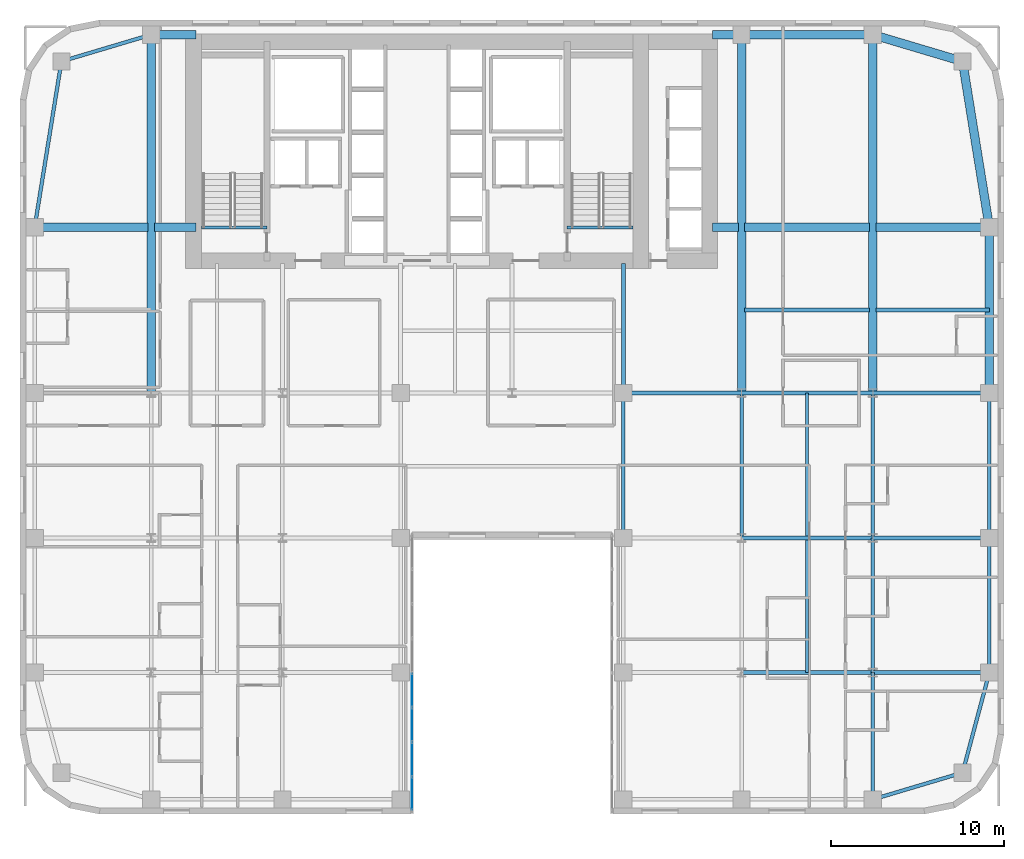
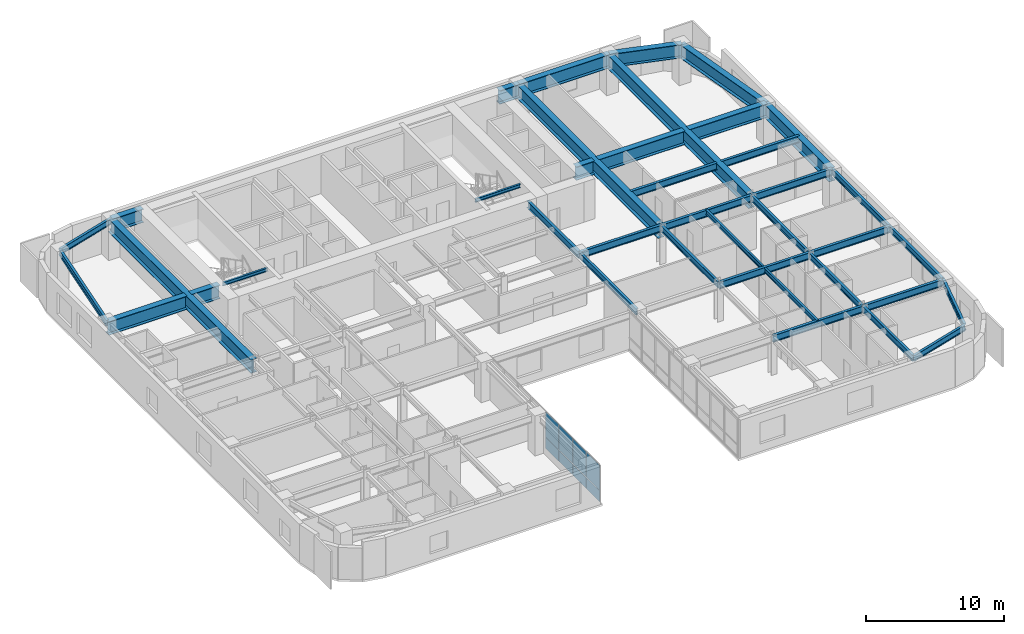
# One storey, part 8 of 16: 39 beams, 8 plates, 1 element without a shape of its own.
"""IFC4 building model written with IfcOpenShell, lengths in metres."""

from ifc_helpers import new_model, si_unit, direction, frame, origin, origin_2d, place, context, subcontext, project, spatial, rectangle, i_section, extrude, source, transform, mapped, material, layer, layer_set, material_profile, profile_set, type_object, type_shapes, element, aggregate, save


model = new_model("IFC4")

# Units and contexts
model_context = context("Model", 3, precision=1e-05, world=origin(), true_north=direction((0.0, 1.0)))
body_context = subcontext(model_context, "Body", "Model", "MODEL_VIEW")
ifc_project = project(units=[si_unit("LENGTHUNIT", "METRE"), si_unit("AREAUNIT", "SQUARE_METRE"), si_unit("VOLUMEUNIT", "CUBIC_METRE"), si_unit("PLANEANGLEUNIT", "RADIAN"), si_unit("MASSUNIT", "GRAM", prefix="KILO")], contexts=[model_context])

# Site, building, storey
site_placement = place(None, origin())
site = spatial("IfcSite", under=ifc_project, at=site_placement, CompositionType="ELEMENT")
building_placement = place(site_placement, origin())
building = spatial("IfcBuilding", under=site, at=building_placement, Name="Tolvann Quenvar Hotel", CompositionType="ELEMENT")
storey_placement = place(building_placement, frame((0.0, 0.0, 63.949951171875)))
storey = spatial("IfcBuildingStorey", under=building, at=storey_placement, Name="L15", CompositionType="ELEMENT", Elevation=63.949951171875)

# Beams
ifc_material_1 = material(Name="Steel Grade 350", Category="steel")
ifc_material_profile_1 = material_profile(ifc_material_1, i_section(OverallWidth=0.5, OverallDepth=1.199951171875, WebThickness=0.01611328125, FlangeThickness=0.0400390625, at=origin_2d()), Name="1200WB455")
ifc_profile_set_1 = profile_set([ifc_material_profile_1], Name="Steel Grade 350")
beam_type_1 = type_object("IfcBeamType", Name="BM_TG_1200WB455", PredefinedType="USERDEFINED", material=ifc_profile_set_1)
shared_shape_1 = source(origin(), body_context, "Body", "SweptSolid", [
    extrude(i_section(OverallWidth=0.5, OverallDepth=1.199951171875, WebThickness=0.01611328125, FlangeThickness=0.0400390625, at=origin_2d()), origin(), (0.0, 0.0, 1.0), 7.599853515625),
])
beam_1_placement = place(storey_placement, frame((49.39990234375, 45.14990234375, 2.77001953125), z_axis=(-1.0, 0.0, 0.0), x_axis=(0.0, -1.0, 0.0)))
element("IfcBeam", 1, at=beam_1_placement, inside=storey, type_object=beam_type_1, Name="BM-L15-FLK-E4", ObjectType="TRANSFER GIRDER", PredefinedType="USERDEFINED", context=body_context, shape_type="MappedRepresentation", body=[
    mapped(shared_shape_1, transform((0.0, 0.0, 0.0), x_axis=(1.0, 0.0, 0.0), y_axis=(0.0, 1.0, 0.0), z_axis=(0.0, 0.0, 1.0), scale=1.0)),
])
shared_shape_2 = source(origin(), body_context, "Body", "SweptSolid", [
    extrude(i_section(OverallWidth=0.5, OverallDepth=1.199951171875, WebThickness=0.01611328125, FlangeThickness=0.0400390625, at=origin_2d()), origin(), (0.0, 0.0, 1.0), 9.60009765625),
])
beam_2_placement = place(storey_placement, frame((56.14990234375, 24.39990234375, 2.77001953125), z_axis=(0.0, 1.0, 0.0), x_axis=(-1.0, 0.0, 0.0)))
element("IfcBeam", 2, at=beam_2_placement, inside=storey, type_object=beam_type_1, Name="BM-L15-FLK-E1", ObjectType="TRANSFER GIRDER", PredefinedType="USERDEFINED", context=body_context, shape_type="MappedRepresentation", body=[
    mapped(shared_shape_2, transform((0.0, 0.0, 0.0), x_axis=(1.0, 0.0, 0.0), y_axis=(0.0, 1.0, 0.0), z_axis=(0.0, 0.0, 1.0), scale=1.0)),
])
ifc_material_profile_2 = material_profile(ifc_material_1, i_section(OverallWidth=0.208984375, OverallDepth=0.528076171875, WebThickness=0.009521484375, FlangeThickness=0.01318359375, FilletRadius=0.013916015625, at=origin_2d()), Name="530UB82")
ifc_profile_set_2 = profile_set([ifc_material_profile_2], Name="Steel Grade 350")
beam_type_2 = type_object("IfcBeamType", Name="BM_SPAND_530UB82", PredefinedType="SPANDREL", material=ifc_profile_set_2)
shared_shape_3 = source(origin(), body_context, "Body", "SweptSolid", [
    extrude(i_section(OverallWidth=0.208984375, OverallDepth=0.528076171875, WebThickness=0.009521484375, FlangeThickness=0.01318359375, FilletRadius=0.013916015625, at=origin_2d()), origin(), (0.0, 0.0, 1.0), 5.42626953125),
])
for number, where, z_axis, x_axis, name in (
    (3, (49.39990234375, 0.85009765625, 3.10595703125), (0.958344815522, 0.285613750654, 0.0), (-0.285613750654, 0.958344815522, 0.0), "BM-L15-EW-2-I2-J2"),
    (4, (2.39990234375, 43.60009765625, 3.10595703125), (0.958344815522, 0.285613750654, 0.0), (-0.285613750654, 0.958344815522, 0.0), "BM-L15-FLK-W3"),
):
    element("IfcBeam", number, at=place(storey_placement, frame(where, z_axis=z_axis, x_axis=x_axis)), inside=storey, type_object=beam_type_2, Name=name, PredefinedType="SPANDREL", context=body_context, shape_type="MappedRepresentation", body=[
        mapped(shared_shape_3, transform((0.0, 0.0, 0.0), x_axis=(1.0, 0.0, 0.0), y_axis=(0.0, 1.0, 0.0), z_axis=(0.0, 0.0, 1.0), scale=1.0)),
    ])
ifc_material_profile_3 = material_profile(ifc_material_1, i_section(OverallWidth=0.22900390625, OverallDepth=0.612060546875, WebThickness=0.011962890625, FlangeThickness=0.01953125, FilletRadius=0.013916015625, at=origin_2d()), Name="610UB125")
ifc_profile_set_3 = profile_set([ifc_material_profile_3], Name="Steel Grade 350")
beam_type_3 = type_object("IfcBeamType", Name="BM_GIRD_610UB125", PredefinedType="BEAM", material=ifc_profile_set_3)
shared_shape_4 = source(origin(), body_context, "Body", "SweptSolid", [
    extrude(i_section(OverallWidth=0.22900390625, OverallDepth=0.612060546875, WebThickness=0.011962890625, FlangeThickness=0.01953125, FilletRadius=0.013916015625, at=origin_2d()), origin(), (0.0, 0.0, 1.0), 6.75),
])
for number, where, z_axis, x_axis, name in (
    (5, (49.39990234375, 8.199951171875, 3.06396484375), (1.0, 0.0, 0.0), (0.0, 1.0, 0.0), "BM-L15-EW-3-I3-J3"),
    (6, (49.39990234375, 16.0, 3.06396484375), (1.0, 0.0, 0.0), (0.0, 1.0, 0.0), "BM-L15-EW-4-I4-J4"),
    (7, (49.39990234375, 24.39990234375, 3.06396484375), (1.0, 0.0, 0.0), (0.0, 1.0, 0.0), "BM-L15-EW-5-I5-J5"),
):
    element("IfcBeam", number, at=place(storey_placement, frame(where, z_axis=z_axis, x_axis=x_axis)), inside=storey, type_object=beam_type_3, Name=name, PredefinedType="BEAM", context=body_context, shape_type="MappedRepresentation", body=[
        mapped(shared_shape_4, transform((0.0, 0.0, 0.0), x_axis=(1.0, 0.0, 0.0), y_axis=(0.0, 1.0, 0.0), z_axis=(0.0, 0.0, 1.0), scale=1.0)),
    ])
shared_shape_5 = source(origin(), body_context, "Body", "SweptSolid", [
    extrude(i_section(OverallWidth=0.22900390625, OverallDepth=0.612060546875, WebThickness=0.011962890625, FlangeThickness=0.01953125, FilletRadius=0.013916015625, at=origin_2d()), origin(), (0.0, 0.0, 1.0), 7.599853515625),
])
for number, where, z_axis, x_axis, name in (
    (8, (41.800048828125, 8.199951171875, 3.06396484375), (1.0, 0.0, 0.0), (0.0, 1.0, 0.0), "BM-L15-EW-3-H3-I3"),
    (9, (41.800048828125, 16.0, 3.06396484375), (1.0, 0.0, 0.0), (0.0, 1.0, 0.0), "BM-L15-EW-4-H4-I4"),
    (10, (41.800048828125, 24.39990234375, 3.06396484375), (1.0, 0.0, 0.0), (0.0, 1.0, 0.0), "BM-L15-EW-5-H5-I5"),
):
    element("IfcBeam", number, at=place(storey_placement, frame(where, z_axis=z_axis, x_axis=x_axis)), inside=storey, type_object=beam_type_3, Name=name, PredefinedType="BEAM", context=body_context, shape_type="MappedRepresentation", body=[
        mapped(shared_shape_5, transform((0.0, 0.0, 0.0), x_axis=(1.0, 0.0, 0.0), y_axis=(0.0, 1.0, 0.0), z_axis=(0.0, 0.0, 1.0), scale=1.0)),
    ])
shared_shape_6 = source(origin(), body_context, "Body", "SweptSolid", [
    extrude(i_section(OverallWidth=0.22900390625, OverallDepth=0.612060546875, WebThickness=0.011962890625, FlangeThickness=0.01953125, FilletRadius=0.013916015625, at=origin_2d()), origin(), (0.0, 0.0, 1.0), 6.85009765625),
])
beam_3_placement = place(storey_placement, frame((34.949951171875, 24.39990234375, 3.06396484375), z_axis=(1.0, 0.0, 0.0), x_axis=(0.0, 1.0, 0.0)))
element("IfcBeam", 11, at=beam_3_placement, inside=storey, type_object=beam_type_3, Name="BM-L15-EW-5-F5-H5", PredefinedType="BEAM", context=body_context, shape_type="MappedRepresentation", body=[
    mapped(shared_shape_6, transform((0.0, 0.0, 0.0), x_axis=(1.0, 0.0, 0.0), y_axis=(0.0, 1.0, 0.0), z_axis=(0.0, 0.0, 1.0), scale=1.0)),
])
shared_shape_7 = source(origin(), body_context, "Body", "SweptSolid", [
    extrude(i_section(OverallWidth=0.208984375, OverallDepth=0.528076171875, WebThickness=0.009521484375, FlangeThickness=0.01318359375, FilletRadius=0.013916015625, at=origin_2d()), origin(), (0.0, 0.0, 1.0), 6.00341796875),
])
beam_4_placement = place(storey_placement, frame((54.60009765625, 2.39990234375, 3.10595703125), z_axis=(0.258148586649, 0.966105225745, 0.0), x_axis=(-0.966105225745, 0.258148586649, 0.0)))
element("IfcBeam", 12, at=beam_4_placement, inside=storey, type_object=beam_type_2, Name="BM-L15-NS-J2-J3", PredefinedType="SPANDREL", context=body_context, shape_type="MappedRepresentation", body=[
    mapped(shared_shape_7, transform((0.0, 0.0, 0.0), x_axis=(1.0, 0.0, 0.0), y_axis=(0.0, 1.0, 0.0), z_axis=(0.0, 0.0, 1.0), scale=1.0)),
])
shared_shape_8 = source(origin(), body_context, "Body", "SweptSolid", [
    extrude(i_section(OverallWidth=0.208984375, OverallDepth=0.528076171875, WebThickness=0.009521484375, FlangeThickness=0.01318359375, FilletRadius=0.013916015625, at=origin_2d()), origin(), (0.0, 0.0, 1.0), 7.800048828125),
])
beam_5_placement = place(storey_placement, frame((56.14990234375, 8.199951171875, 3.10595703125), z_axis=(0.0, 1.0, 0.0), x_axis=(-1.0, 0.0, 0.0)))
element("IfcBeam", 13, at=beam_5_placement, inside=storey, type_object=beam_type_2, Name="BM-L15-NS-J3-J4", PredefinedType="SPANDREL", context=body_context, shape_type="MappedRepresentation", body=[
    mapped(shared_shape_8, transform((0.0, 0.0, 0.0), x_axis=(1.0, 0.0, 0.0), y_axis=(0.0, 1.0, 0.0), z_axis=(0.0, 0.0, 1.0), scale=1.0)),
])
shared_shape_9 = source(origin(), body_context, "Body", "SweptSolid", [
    extrude(i_section(OverallWidth=0.208984375, OverallDepth=0.528076171875, WebThickness=0.009521484375, FlangeThickness=0.01318359375, FilletRadius=0.013916015625, at=origin_2d()), origin(), (0.0, 0.0, 1.0), 8.39990234375),
])
beam_6_placement = place(storey_placement, frame((56.14990234375, 16.0, 3.10595703125), z_axis=(0.0, 1.0, 0.0), x_axis=(-1.0, 0.0, 0.0)))
element("IfcBeam", 14, at=beam_6_placement, inside=storey, type_object=beam_type_2, Name="BM-L15-NS-J4-J5", PredefinedType="SPANDREL", context=body_context, shape_type="MappedRepresentation", body=[
    mapped(shared_shape_9, transform((0.0, 0.0, 0.0), x_axis=(1.0, 0.0, 0.0), y_axis=(0.0, 1.0, 0.0), z_axis=(0.0, 0.0, 1.0), scale=1.0)),
])
ifc_material_profile_4 = material_profile(ifc_material_1, i_section(OverallWidth=0.208984375, OverallDepth=0.532958984375, WebThickness=0.01025390625, FlangeThickness=0.015625, FilletRadius=0.013916015625, at=origin_2d()), Name="530UB92")
ifc_profile_set_4 = profile_set([ifc_material_profile_4], Name="Steel Grade 350")
beam_type_4 = type_object("IfcBeamType", Name="BM_GIRD_530UB92", PredefinedType="BEAM", material=ifc_profile_set_4)
shared_shape_10 = source(origin(), body_context, "Body", "SweptSolid", [
    extrude(i_section(OverallWidth=0.208984375, OverallDepth=0.532958984375, WebThickness=0.01025390625, FlangeThickness=0.015625, FilletRadius=0.013916015625, at=origin_2d()), origin(), (0.0, 0.0, 1.0), 7.349853515625),
])
beam_7_placement = place(storey_placement, frame((49.39990234375, 0.85009765625, 3.103515625), z_axis=(0.0, 1.0, 0.0), x_axis=(-1.0, 0.0, 0.0)))
element("IfcBeam", 15, at=beam_7_placement, inside=storey, type_object=beam_type_4, Name="BM-L15-NS-I2-I3", PredefinedType="BEAM", context=body_context, shape_type="MappedRepresentation", body=[
    mapped(shared_shape_10, transform((0.0, 0.0, 0.0), x_axis=(1.0, 0.0, 0.0), y_axis=(0.0, 1.0, 0.0), z_axis=(0.0, 0.0, 1.0), scale=1.0)),
])
shared_shape_11 = source(origin(), body_context, "Body", "SweptSolid", [
    extrude(i_section(OverallWidth=0.208984375, OverallDepth=0.532958984375, WebThickness=0.01025390625, FlangeThickness=0.015625, FilletRadius=0.013916015625, at=origin_2d()), origin(), (0.0, 0.0, 1.0), 7.800048828125),
])
beam_8_placement = place(storey_placement, frame((49.39990234375, 8.199951171875, 3.103515625), z_axis=(0.0, 1.0, 0.0), x_axis=(-1.0, 0.0, 0.0)))
element("IfcBeam", 16, at=beam_8_placement, inside=storey, type_object=beam_type_4, Name="BM-L15-NS-I3-I4", PredefinedType="BEAM", context=body_context, shape_type="MappedRepresentation", body=[
    mapped(shared_shape_11, transform((0.0, 0.0, 0.0), x_axis=(1.0, 0.0, 0.0), y_axis=(0.0, 1.0, 0.0), z_axis=(0.0, 0.0, 1.0), scale=1.0)),
])
shared_shape_12 = source(origin(), body_context, "Body", "SweptSolid", [
    extrude(i_section(OverallWidth=0.208984375, OverallDepth=0.532958984375, WebThickness=0.01025390625, FlangeThickness=0.015625, FilletRadius=0.013916015625, at=origin_2d()), origin(), (0.0, 0.0, 1.0), 8.39990234375),
])
type_shapes(beam_type_4, [shared_shape_10, shared_shape_11, shared_shape_12])
for number, where, z_axis, x_axis, name in (
    (17, (34.949951171875, 16.0, 3.103515625), (0.0, 1.0, 0.0), (-1.0, 0.0, 0.0), "BM-L15-NS-F4-F5"),
    (18, (41.800048828125, 16.0, 3.103515625), (0.0, 1.0, 0.0), (-1.0, 0.0, 0.0), "BM-L15-NS-H4-H5"),
    (19, (49.39990234375, 16.0, 3.103515625), (0.0, 1.0, 0.0), (-1.0, 0.0, 0.0), "BM-L15-NS-I4-I5"),
):
    element("IfcBeam", number, at=place(storey_placement, frame(where, z_axis=z_axis, x_axis=x_axis)), inside=storey, type_object=beam_type_4, Name=name, PredefinedType="BEAM", context=body_context, shape_type="MappedRepresentation", body=[
        mapped(shared_shape_12, transform((0.0, 0.0, 0.0), x_axis=(1.0, 0.0, 0.0), y_axis=(0.0, 1.0, 0.0), z_axis=(0.0, 0.0, 1.0), scale=1.0)),
    ])
shared_shape_13 = source(origin(), body_context, "Body", "SweptSolid", [
    extrude(i_section(OverallWidth=0.22900390625, OverallDepth=0.612060546875, WebThickness=0.011962890625, FlangeThickness=0.01953125, FilletRadius=0.013916015625, at=origin_2d()), origin(), (0.0, 0.0, 1.0), 7.5),
])
beam_9_placement = place(storey_placement, frame((34.949951171875, 24.39990234375, 3.06396484375), z_axis=(0.0, 1.0, 0.0), x_axis=(-1.0, 0.0, 0.0)))
element("IfcBeam", 20, at=beam_9_placement, inside=storey, type_object=beam_type_3, Name="BM-L15-CORE-F5", PredefinedType="BEAM", context=body_context, shape_type="MappedRepresentation", body=[
    mapped(shared_shape_13, transform((0.0, 0.0, 0.0), x_axis=(1.0, 0.0, 0.0), y_axis=(0.0, 1.0, 0.0), z_axis=(0.0, 0.0, 1.0), scale=1.0)),
])
shared_shape_14 = source(origin(), body_context, "Body", "SweptSolid", [
    extrude(i_section(OverallWidth=0.208984375, OverallDepth=0.528076171875, WebThickness=0.009521484375, FlangeThickness=0.01318359375, FilletRadius=0.013916015625, at=origin_2d()), origin(), (0.0, 0.0, 1.0), 9.724365234375),
])
type_shapes(beam_type_2, [shared_shape_3, shared_shape_7, shared_shape_8, shared_shape_9, shared_shape_14])
beam_10_placement = place(storey_placement, frame((0.85009765625, 34.0, 3.10595703125), z_axis=(0.159372939192, 0.987218449105, 0.0), x_axis=(-0.987218449105, 0.159372939192, 0.0)))
element("IfcBeam", 21, at=beam_10_placement, inside=storey, type_object=beam_type_2, Name="BM-L15-FLK-W2", PredefinedType="SPANDREL", context=body_context, shape_type="MappedRepresentation", body=[
    mapped(shared_shape_14, transform((0.0, 0.0, 0.0), x_axis=(1.0, 0.0, 0.0), y_axis=(0.0, 1.0, 0.0), z_axis=(0.0, 0.0, 1.0), scale=1.0)),
])
shared_shape_15 = source(origin(), body_context, "Body", "SweptSolid", [
    extrude(i_section(OverallWidth=0.5, OverallDepth=1.199951171875, WebThickness=0.01611328125, FlangeThickness=0.0400390625, at=origin_2d()), origin(), (0.0, 0.0, 1.0), 20.75),
])
for number, where, z_axis, x_axis, name in (
    (22, (7.60009765625, 24.39990234375, 2.77001953125), (0.0, 1.0, 0.0), (-1.0, 0.0, 0.0), "BM-L15-FLK-WC"),
    (23, (41.800048828125, 24.39990234375, 2.77001953125), (0.0, 1.0, 0.0), (-1.0, 0.0, 0.0), "BM-L15-FLK-EH"),
    (24, (49.39990234375, 24.39990234375, 2.77001953125), (0.0, 1.0, 0.0), (-1.0, 0.0, 0.0), "BM-L15-FLK-EI"),
):
    element("IfcBeam", number, at=place(storey_placement, frame(where, z_axis=z_axis, x_axis=x_axis)), inside=storey, type_object=beam_type_1, Name=name, ObjectType="TRANSFER GIRDER", PredefinedType="USERDEFINED", context=body_context, shape_type="MappedRepresentation", body=[
        mapped(shared_shape_15, transform((0.0, 0.0, 0.0), x_axis=(1.0, 0.0, 0.0), y_axis=(0.0, 1.0, 0.0), z_axis=(0.0, 0.0, 1.0), scale=1.0)),
    ])
shared_shape_16 = source(origin(), body_context, "Body", "SweptSolid", [
    extrude(i_section(OverallWidth=0.5, OverallDepth=1.199951171875, WebThickness=0.01611328125, FlangeThickness=0.0400390625, at=origin_2d()), origin(), (0.0, 0.0, 1.0), 6.56982421875),
])
for number, where, z_axis, x_axis, name in (
    (25, (0.85009765625, 34.0, 2.77001953125), (1.0, 0.0, 0.0), (0.0, 1.0, 0.0), "BM-L15-CTW-MID1"),
    (26, (49.580078125, 34.0, 2.77001953125), (1.0, 0.0, 0.0), (0.0, 1.0, 0.0), "BM-L15-CTE-JD6C"),
):
    element("IfcBeam", number, at=place(storey_placement, frame(where, z_axis=z_axis, x_axis=x_axis)), inside=storey, type_object=beam_type_1, Name=name, ObjectType="TRANSFER GIRDER", PredefinedType="USERDEFINED", context=body_context, shape_type="MappedRepresentation", body=[
        mapped(shared_shape_16, transform((0.0, 0.0, 0.0), x_axis=(1.0, 0.0, 0.0), y_axis=(0.0, 1.0, 0.0), z_axis=(0.0, 0.0, 1.0), scale=1.0)),
    ])
shared_shape_17 = source(origin(), body_context, "Body", "SweptSolid", [
    extrude(i_section(OverallWidth=0.5, OverallDepth=1.199951171875, WebThickness=0.01611328125, FlangeThickness=0.0400390625, at=origin_2d()), origin(), (0.0, 0.0, 1.0), 2.419921875),
])
beam_11_placement = place(storey_placement, frame((7.780029296875, 34.0, 2.77001953125), z_axis=(1.0, 0.0, 0.0), x_axis=(0.0, 1.0, 0.0)))
element("IfcBeam", 27, at=beam_11_placement, inside=storey, type_object=beam_type_1, Name="BM-L15-CTW-MID2", ObjectType="TRANSFER GIRDER", PredefinedType="USERDEFINED", context=body_context, shape_type="MappedRepresentation", body=[
    mapped(shared_shape_17, transform((0.0, 0.0, 0.0), x_axis=(1.0, 0.0, 0.0), y_axis=(0.0, 1.0, 0.0), z_axis=(0.0, 0.0, 1.0), scale=1.0)),
])
shared_shape_18 = source(origin(), body_context, "Body", "SweptSolid", [
    extrude(i_section(OverallWidth=0.5, OverallDepth=1.199951171875, WebThickness=0.01611328125, FlangeThickness=0.0400390625, at=origin_2d()), origin(), (0.0, 0.0, 1.0), 2.599853515625),
])
beam_12_placement = place(storey_placement, frame((7.60009765625, 45.14990234375, 2.77001953125), z_axis=(1.0, 0.0, 0.0), x_axis=(0.0, 1.0, 0.0)))
element("IfcBeam", 28, at=beam_12_placement, inside=storey, type_object=beam_type_1, Name="BM-L15-CTW-CN", ObjectType="TRANSFER GIRDER", PredefinedType="USERDEFINED", context=body_context, shape_type="MappedRepresentation", body=[
    mapped(shared_shape_18, transform((0.0, 0.0, 0.0), x_axis=(1.0, 0.0, 0.0), y_axis=(0.0, 1.0, 0.0), z_axis=(0.0, 0.0, 1.0), scale=1.0)),
])
shared_shape_19 = source(origin(), body_context, "Body", "SweptSolid", [
    extrude(i_section(OverallWidth=0.5, OverallDepth=1.199951171875, WebThickness=0.01611328125, FlangeThickness=0.0400390625, at=origin_2d()), origin(), (0.0, 0.0, 1.0), 9.724365234375),
])
beam_13_placement = place(storey_placement, frame((56.14990234375, 34.0, 2.77001953125), z_axis=(-0.159372939192, 0.987218449105, 0.0), x_axis=(-0.987218449105, -0.159372939192, 0.0)))
element("IfcBeam", 29, at=beam_13_placement, inside=storey, type_object=beam_type_1, Name="BM-L15-FLK-E2", ObjectType="TRANSFER GIRDER", PredefinedType="USERDEFINED", context=body_context, shape_type="MappedRepresentation", body=[
    mapped(shared_shape_19, transform((0.0, 0.0, 0.0), x_axis=(1.0, 0.0, 0.0), y_axis=(0.0, 1.0, 0.0), z_axis=(0.0, 0.0, 1.0), scale=1.0)),
])
shared_shape_20 = source(origin(), body_context, "Body", "SweptSolid", [
    extrude(i_section(OverallWidth=0.5, OverallDepth=1.199951171875, WebThickness=0.01611328125, FlangeThickness=0.0400390625, at=origin_2d()), origin(), (0.0, 0.0, 1.0), 5.42626953125),
])
beam_14_placement = place(storey_placement, frame((54.60009765625, 43.60009765625, 2.77001953125), z_axis=(-0.958344815522, 0.285613750654, 0.0), x_axis=(-0.285613750654, -0.958344815522, 0.0)))
element("IfcBeam", 30, at=beam_14_placement, inside=storey, type_object=beam_type_1, Name="BM-L15-FLK-E3", ObjectType="TRANSFER GIRDER", PredefinedType="USERDEFINED", context=body_context, shape_type="MappedRepresentation", body=[
    mapped(shared_shape_20, transform((0.0, 0.0, 0.0), x_axis=(1.0, 0.0, 0.0), y_axis=(0.0, 1.0, 0.0), z_axis=(0.0, 0.0, 1.0), scale=1.0)),
])
shared_shape_21 = source(origin(), body_context, "Body", "SweptSolid", [
    extrude(i_section(OverallWidth=0.5, OverallDepth=1.199951171875, WebThickness=0.01611328125, FlangeThickness=0.0400390625, at=origin_2d()), origin(), (0.0, 0.0, 1.0), 1.699951171875),
])
beam_15_placement = place(storey_placement, frame((40.10009765625, 45.14990234375, 2.77001953125), z_axis=(1.0, 0.0, 0.0), x_axis=(0.0, 1.0, 0.0)))
element("IfcBeam", 31, at=beam_15_placement, inside=storey, type_object=beam_type_1, Name="BM-L15-CTE-HN", ObjectType="TRANSFER GIRDER", PredefinedType="USERDEFINED", context=body_context, shape_type="MappedRepresentation", body=[
    mapped(shared_shape_21, transform((0.0, 0.0, 0.0), x_axis=(1.0, 0.0, 0.0), y_axis=(0.0, 1.0, 0.0), z_axis=(0.0, 0.0, 1.0), scale=1.0)),
])
shared_shape_22 = source(origin(), body_context, "Body", "SweptSolid", [
    extrude(i_section(OverallWidth=0.5, OverallDepth=1.199951171875, WebThickness=0.01611328125, FlangeThickness=0.0400390625, at=origin_2d()), origin(), (0.0, 0.0, 1.0), 1.52001953125),
])
beam_16_placement = place(storey_placement, frame((40.10009765625, 34.0, 2.77001953125), z_axis=(1.0, 0.0, 0.0), x_axis=(0.0, 1.0, 0.0)))
element("IfcBeam", 32, at=beam_16_placement, inside=storey, type_object=beam_type_1, Name="BM-L15-CTE-JD6A", ObjectType="TRANSFER GIRDER", PredefinedType="USERDEFINED", context=body_context, shape_type="MappedRepresentation", body=[
    mapped(shared_shape_22, transform((0.0, 0.0, 0.0), x_axis=(1.0, 0.0, 0.0), y_axis=(0.0, 1.0, 0.0), z_axis=(0.0, 0.0, 1.0), scale=1.0)),
])
shared_shape_23 = source(origin(), body_context, "Body", "SweptSolid", [
    extrude(i_section(OverallWidth=0.5, OverallDepth=1.199951171875, WebThickness=0.01611328125, FlangeThickness=0.0400390625, at=origin_2d()), origin(), (0.0, 0.0, 1.0), 7.239990234375),
])
type_shapes(beam_type_1, [shared_shape_1, shared_shape_2, shared_shape_15, shared_shape_16, shared_shape_17, shared_shape_18, shared_shape_19, shared_shape_20, shared_shape_21, shared_shape_22, shared_shape_23])
beam_17_placement = place(storey_placement, frame((41.97998046875, 34.0, 2.77001953125), z_axis=(1.0, 0.0, 0.0), x_axis=(0.0, 1.0, 0.0)))
element("IfcBeam", 33, at=beam_17_placement, inside=storey, type_object=beam_type_1, Name="BM-L15-CTE-JD6B", ObjectType="TRANSFER GIRDER", PredefinedType="USERDEFINED", context=body_context, shape_type="MappedRepresentation", body=[
    mapped(shared_shape_23, transform((0.0, 0.0, 0.0), x_axis=(1.0, 0.0, 0.0), y_axis=(0.0, 1.0, 0.0), z_axis=(0.0, 0.0, 1.0), scale=1.0)),
])
shared_shape_24 = source(origin(), body_context, "Body", "SweptSolid", [
    extrude(i_section(OverallWidth=0.22900390625, OverallDepth=0.612060546875, WebThickness=0.011962890625, FlangeThickness=0.01953125, FilletRadius=0.013916015625, at=origin_2d()), origin(), (0.0, 0.0, 1.0), 7.239990234375),
])
beam_18_placement = place(storey_placement, frame((41.97998046875, 29.199951171875, 3.06396484375), z_axis=(1.0, 0.0, 0.0), x_axis=(0.0, 1.0, 0.0)))
element("IfcBeam", 34, at=beam_18_placement, inside=storey, type_object=beam_type_3, Name="BM-L15-EW-HI29", PredefinedType="BEAM", context=body_context, shape_type="MappedRepresentation", body=[
    mapped(shared_shape_24, transform((0.0, 0.0, 0.0), x_axis=(1.0, 0.0, 0.0), y_axis=(0.0, 1.0, 0.0), z_axis=(0.0, 0.0, 1.0), scale=1.0)),
])
shared_shape_25 = source(origin(), body_context, "Body", "SweptSolid", [
    extrude(i_section(OverallWidth=0.22900390625, OverallDepth=0.612060546875, WebThickness=0.011962890625, FlangeThickness=0.01953125, FilletRadius=0.013916015625, at=origin_2d()), origin(), (0.0, 0.0, 1.0), 6.56982421875),
])
type_shapes(beam_type_3, [shared_shape_4, shared_shape_5, shared_shape_6, shared_shape_13, shared_shape_24, shared_shape_25])
beam_19_placement = place(storey_placement, frame((49.580078125, 29.199951171875, 3.06396484375), z_axis=(1.0, 0.0, 0.0), x_axis=(0.0, 1.0, 0.0)))
element("IfcBeam", 35, at=beam_19_placement, inside=storey, type_object=beam_type_3, Name="BM-L15-EW-IJ29", PredefinedType="BEAM", context=body_context, shape_type="MappedRepresentation", body=[
    mapped(shared_shape_25, transform((0.0, 0.0, 0.0), x_axis=(1.0, 0.0, 0.0), y_axis=(0.0, 1.0, 0.0), z_axis=(0.0, 0.0, 1.0), scale=1.0)),
])
ifc_material_profile_5 = material_profile(ifc_material_1, i_section(OverallWidth=0.177978515625, OverallDepth=0.406005859375, WebThickness=0.0078125, FlangeThickness=0.0126953125, FilletRadius=0.011474609375, at=origin_2d()), Name="410UB60")
ifc_profile_set_5 = profile_set([ifc_material_profile_5], Name="Steel Grade 350")
beam_type_5 = type_object("IfcBeamType", Name="BM_JOIST_410UB60", PredefinedType="JOIST", material=ifc_profile_set_5)
shared_shape_26 = source(origin(), body_context, "Body", "SweptSolid", [
    extrude(i_section(OverallWidth=0.177978515625, OverallDepth=0.406005859375, WebThickness=0.0078125, FlangeThickness=0.0126953125, FilletRadius=0.011474609375, at=origin_2d()), origin(), (0.0, 0.0, 1.0), 7.691650390625),
])
beam_20_placement = place(storey_placement, frame((45.60009765625, 8.199951171875, 3.1669921875), z_axis=(0.0, 1.0, 0.0), x_axis=(-1.0, 0.0, 0.0)))
element("IfcBeam", 36, at=beam_20_placement, inside=storey, type_object=beam_type_5, Name="BJ-L15-456-82", PredefinedType="JOIST", context=body_context, shape_type="MappedRepresentation", body=[
    mapped(shared_shape_26, transform((0.0, 0.0, 0.0), x_axis=(1.0, 0.0, 0.0), y_axis=(0.0, 1.0, 0.0), z_axis=(0.0, 0.0, 1.0), scale=1.0)),
])
shared_shape_27 = source(origin(), body_context, "Body", "SweptSolid", [
    extrude(i_section(OverallWidth=0.177978515625, OverallDepth=0.406005859375, WebThickness=0.0078125, FlangeThickness=0.0126953125, FilletRadius=0.011474609375, at=origin_2d()), origin(), (0.0, 0.0, 1.0), 8.29150390625),
])
type_shapes(beam_type_5, [shared_shape_26, shared_shape_27])
beam_21_placement = place(storey_placement, frame((45.60009765625, 16.1083984375, 3.1669921875), z_axis=(0.0, 1.0, 0.0), x_axis=(-1.0, 0.0, 0.0)))
element("IfcBeam", 37, at=beam_21_placement, inside=storey, type_object=beam_type_5, Name="BJ-L15-456-160", PredefinedType="JOIST", context=body_context, shape_type="MappedRepresentation", body=[
    mapped(shared_shape_27, transform((0.0, 0.0, 0.0), x_axis=(1.0, 0.0, 0.0), y_axis=(0.0, 1.0, 0.0), z_axis=(0.0, 0.0, 1.0), scale=1.0)),
])
ifc_material_profile_6 = material_profile(ifc_material_1, i_section(OverallWidth=0.166015625, OverallDepth=0.306884765625, WebThickness=0.006591796875, FlangeThickness=0.01171875, FilletRadius=0.011474609375, at=origin_2d()), Name="310UB46")
ifc_profile_set_6 = profile_set([ifc_material_profile_6], Name="Steel Grade 350")
beam_type_6 = type_object("IfcBeamType", Name="BM_JOIST_310UB46", PredefinedType="JOIST", material=ifc_profile_set_6)
shared_shape_28 = source(origin(), body_context, "Body", "SweptSolid", [
    extrude(i_section(OverallWidth=0.166015625, OverallDepth=0.306884765625, WebThickness=0.006591796875, FlangeThickness=0.01171875, FilletRadius=0.011474609375, at=origin_2d()), origin(), (0.0, 0.0, 1.0), 3.800048828125),
])
type_shapes(beam_type_6, [shared_shape_28])
for number, where, z_axis, x_axis, name in (
    (38, (10.5, 33.97998046875, 3.216552734375), (1.0, 0.0, 0.0), (0.0, 1.0, 0.0), "BM-HDR-STC1-L16"),
    (39, (31.699951171875, 33.97998046875, 3.216552734375), (1.0, 0.0, 0.0), (0.0, 1.0, 0.0), "BM-HDR-STC2-L16"),
):
    element("IfcBeam", number, at=place(storey_placement, frame(where, z_axis=z_axis, x_axis=x_axis)), inside=storey, type_object=beam_type_6, Name=name, PredefinedType="JOIST", context=body_context, shape_type="MappedRepresentation", body=[
        mapped(shared_shape_28, transform((0.0, 0.0, 0.0), x_axis=(1.0, 0.0, 0.0), y_axis=(0.0, 1.0, 0.0), z_axis=(0.0, 0.0, 1.0), scale=1.0)),
    ])

# Curtain wall, plates
ifc_material_2 = material(Name="Thermally broken anodised architectural aluminium 6063-T6 and laminated low-E glass", Category="aluminium")
ifc_layer_1 = layer(ifc_material_2, 0.179931640625)
ifc_layer_set_1 = layer_set([ifc_layer_1], Name="Thermally broken anodised architectural aluminium 6063-T6 and laminated low-E glass")
curtain_wall_type = type_object("IfcCurtainWallType", Name="CW_SYS_SLOT_03", PredefinedType="USERDEFINED", material=ifc_layer_set_1)
curtain_wall_placement = place(storey_placement, origin())
curtain_wall = element("IfcCurtainWall", 40, at=curtain_wall_placement, inside=storey, type_object=curtain_wall_type, Name="Curtain Wall CW-SLOT-03 (CWR-L15-E05)", ObjectType="UNITISED CURTAIN WALL", PredefinedType="USERDEFINED")
ifc_material_3 = material(Name="Low-iron laminated double glazing with solar-control coating", Category="glass")
ifc_layer_2 = layer(ifc_material_3, 0.028076171875)
ifc_layer_set_2 = layer_set([ifc_layer_2], Name="Low-iron laminated double glazing with solar-control coating")
plate_type = type_object("IfcPlateType", Name="CW_PAN_VISION_28", PredefinedType="CURTAIN_PANEL", material=ifc_layer_set_2)
shared_shape_29 = source(origin(), body_context, "Body", "SweptSolid", [
    extrude(rectangle(XDim=1.89501953125, YDim=0.028076171875, at=origin_2d()), origin(), (0.0, 0.0, 1.0), 0.9599609375),
])
plate_1_placement = place(storey_placement, frame((22.7099609375, 1.1923828125, 0.06005859375), z_axis=(0.0, 0.0, 1.0), x_axis=(0.0, 1.0, 0.0)))
plate_1 = element("IfcPlate", 41, at=plate_1_placement, type_object=plate_type, Name="CW-SLOT-03 panel 1.1", PredefinedType="CURTAIN_PANEL", context=body_context, shape_type="MappedRepresentation", body=[
    mapped(shared_shape_29, transform((0.0, 0.0, 0.0), x_axis=(1.0, 0.0, 0.0), y_axis=(0.0, 1.0, 0.0), z_axis=(0.0, 0.0, 1.0), scale=1.0)),
])
shared_shape_30 = source(origin(), body_context, "Body", "SweptSolid", [
    extrude(rectangle(XDim=1.89501953125, YDim=0.028076171875, at=origin_2d()), origin(), (0.0, 0.0, 1.0), 2.22998046875),
])
plate_2_placement = place(storey_placement, frame((22.7099609375, 1.1923828125, 1.080078125), z_axis=(0.0, 0.0, 1.0), x_axis=(0.0, 1.0, 0.0)))
plate_2 = element("IfcPlate", 42, at=plate_2_placement, type_object=plate_type, Name="CW-SLOT-03 panel 1.2", PredefinedType="CURTAIN_PANEL", context=body_context, shape_type="MappedRepresentation", body=[
    mapped(shared_shape_30, transform((0.0, 0.0, 0.0), x_axis=(1.0, 0.0, 0.0), y_axis=(0.0, 1.0, 0.0), z_axis=(0.0, 0.0, 1.0), scale=1.0)),
])
shared_shape_31 = source(origin(), body_context, "Body", "SweptSolid", [
    extrude(rectangle(XDim=1.929931640625, YDim=0.028076171875, at=origin_2d()), origin(), (0.0, 0.0, 1.0), 0.9599609375),
])
plate_3_placement = place(storey_placement, frame((22.7099609375, 3.175048828125, 0.06005859375), z_axis=(0.0, 0.0, 1.0), x_axis=(0.0, 1.0, 0.0)))
plate_3 = element("IfcPlate", 43, at=plate_3_placement, type_object=plate_type, Name="CW-SLOT-03 panel 2.1", PredefinedType="CURTAIN_PANEL", context=body_context, shape_type="MappedRepresentation", body=[
    mapped(shared_shape_31, transform((0.0, 0.0, 0.0), x_axis=(1.0, 0.0, 0.0), y_axis=(0.0, 1.0, 0.0), z_axis=(0.0, 0.0, 1.0), scale=1.0)),
])
plate_4_placement = place(storey_placement, frame((22.7099609375, 5.175048828125, 0.06005859375), z_axis=(0.0, 0.0, 1.0), x_axis=(0.0, 1.0, 0.0)))
plate_4 = element("IfcPlate", 44, at=plate_4_placement, type_object=plate_type, Name="CW-SLOT-03 panel 3.1", PredefinedType="CURTAIN_PANEL", context=body_context, shape_type="MappedRepresentation", body=[
    mapped(shared_shape_31, transform((0.0, 0.0, 0.0), x_axis=(1.0, 0.0, 0.0), y_axis=(0.0, 1.0, 0.0), z_axis=(0.0, 0.0, 1.0), scale=1.0)),
])
plate_5_placement = place(storey_placement, frame((22.7099609375, 7.175048828125, 0.06005859375), z_axis=(0.0, 0.0, 1.0), x_axis=(0.0, 1.0, 0.0)))
plate_5 = element("IfcPlate", 45, at=plate_5_placement, type_object=plate_type, Name="CW-SLOT-03 panel 4.1", PredefinedType="CURTAIN_PANEL", context=body_context, shape_type="MappedRepresentation", body=[
    mapped(shared_shape_31, transform((0.0, 0.0, 0.0), x_axis=(1.0, 0.0, 0.0), y_axis=(0.0, 1.0, 0.0), z_axis=(0.0, 0.0, 1.0), scale=1.0)),
])
shared_shape_32 = source(origin(), body_context, "Body", "SweptSolid", [
    extrude(rectangle(XDim=1.929931640625, YDim=0.028076171875, at=origin_2d()), origin(), (0.0, 0.0, 1.0), 2.22998046875),
])
type_shapes(plate_type, [shared_shape_29, shared_shape_30, shared_shape_31, shared_shape_32])
plate_6_placement = place(storey_placement, frame((22.7099609375, 3.175048828125, 1.080078125), z_axis=(0.0, 0.0, 1.0), x_axis=(0.0, 1.0, 0.0)))
plate_6 = element("IfcPlate", 46, at=plate_6_placement, type_object=plate_type, Name="CW-SLOT-03 panel 2.2", PredefinedType="CURTAIN_PANEL", context=body_context, shape_type="MappedRepresentation", body=[
    mapped(shared_shape_32, transform((0.0, 0.0, 0.0), x_axis=(1.0, 0.0, 0.0), y_axis=(0.0, 1.0, 0.0), z_axis=(0.0, 0.0, 1.0), scale=1.0)),
])
plate_7_placement = place(storey_placement, frame((22.7099609375, 5.175048828125, 1.080078125), z_axis=(0.0, 0.0, 1.0), x_axis=(0.0, 1.0, 0.0)))
plate_7 = element("IfcPlate", 47, at=plate_7_placement, type_object=plate_type, Name="CW-SLOT-03 panel 3.2", PredefinedType="CURTAIN_PANEL", context=body_context, shape_type="MappedRepresentation", body=[
    mapped(shared_shape_32, transform((0.0, 0.0, 0.0), x_axis=(1.0, 0.0, 0.0), y_axis=(0.0, 1.0, 0.0), z_axis=(0.0, 0.0, 1.0), scale=1.0)),
])
plate_8_placement = place(storey_placement, frame((22.7099609375, 7.175048828125, 1.080078125), z_axis=(0.0, 0.0, 1.0), x_axis=(0.0, 1.0, 0.0)))
plate_8 = element("IfcPlate", 48, at=plate_8_placement, type_object=plate_type, Name="CW-SLOT-03 panel 4.2", PredefinedType="CURTAIN_PANEL", context=body_context, shape_type="MappedRepresentation", body=[
    mapped(shared_shape_32, transform((0.0, 0.0, 0.0), x_axis=(1.0, 0.0, 0.0), y_axis=(0.0, 1.0, 0.0), z_axis=(0.0, 0.0, 1.0), scale=1.0)),
])
aggregate(curtain_wall, [plate_1, plate_2, plate_3, plate_6, plate_4, plate_7, plate_5, plate_8])

save(model, "model.ifc")
